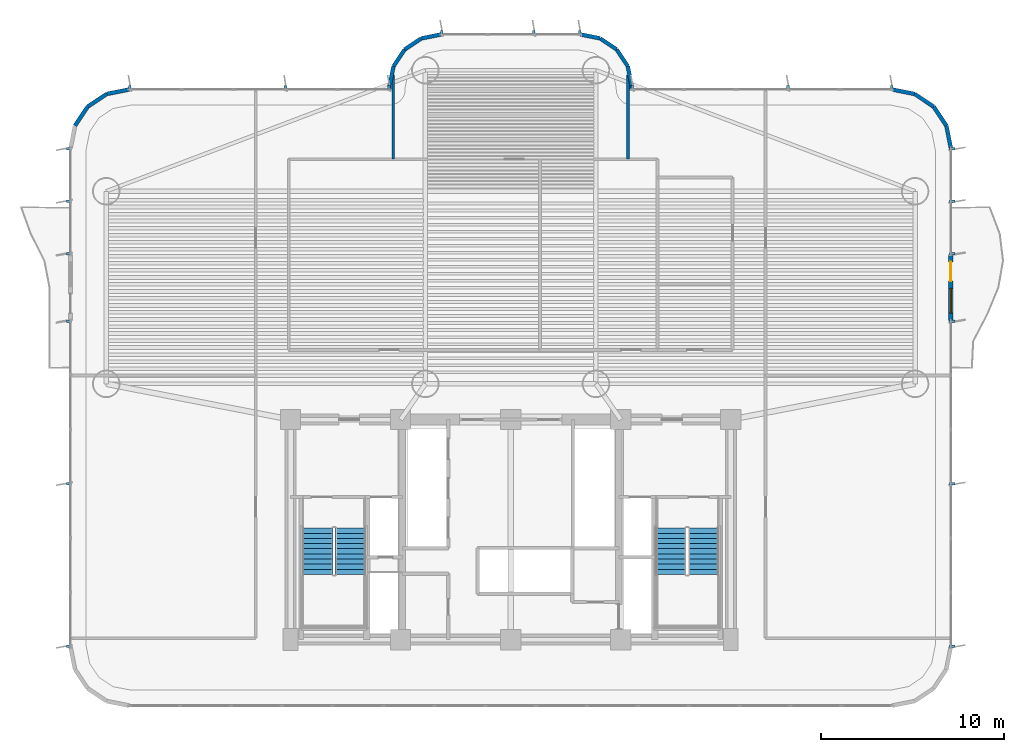
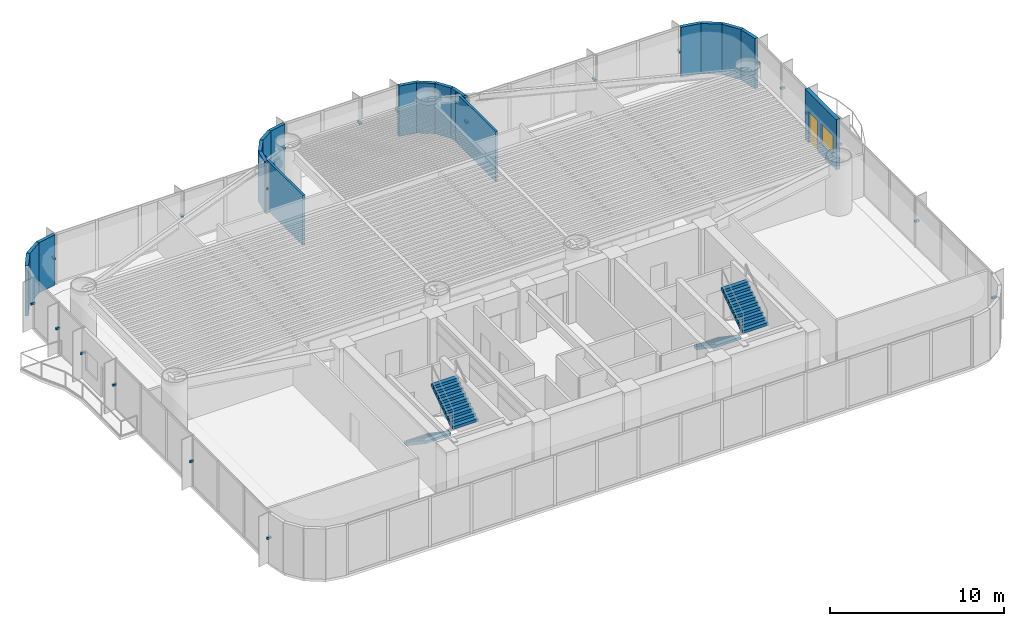
# One storey, part 12 of 16: 21 discrete accessories, 20 walls, 4 stair flights, 1 door, 1 window, 2 openings, 2 elements without a shape of their own.
"""IFC4 building model written with IfcOpenShell, lengths in metres."""

import ifcopenshell
import ifcopenshell.guid

model = None  # the IFC model being written
_history = None  # IfcOwnerHistory: only IFC2X3 demands one
_inside = {}  # id of a spatial element -> (the spatial element, [elements in it])
_under = {}  # id of a project, library or spatial element -> (it, [spatial elements below it])
_declared = {}  # id of a project -> (the project, [libraries it declares])
_typed = {}  # id of a type object -> (the type object, [elements of that type])
_made_of = {}  # id of a material, layer set ... -> (it, [elements and type objects made of it])


def new_model(schema):
    """Start an empty IFC model of exactly this schema.

    Asked for "IFC4X3", IfcOpenShell would pick the latest addendum, in which some entities
    have other attributes; the version numbers below select the first issue.
    IFC2X3 requires an IfcOwnerHistory on every rooted entity: one is made here for all.
    """
    global model, _history
    if schema == "IFC4X3":
        model = ifcopenshell.file(schema_version=(4, 3, 0, 0))
    else:
        model = ifcopenshell.file(schema=schema)
    _inside.clear()
    _under.clear()
    _declared.clear()
    _typed.clear()
    _made_of.clear()
    _history = None
    if model.schema == "IFC2X3":
        org = make("IfcOrganization", Name="unknown")
        user = make(
            "IfcPersonAndOrganization",
            ThePerson=make("IfcPerson", FamilyName="unknown"),
            TheOrganization=org,
        )
        app = make(
            "IfcApplication",
            ApplicationDeveloper=org,
            Version="unknown",
            ApplicationFullName="unknown",
            ApplicationIdentifier="unknown",
        )
        _history = make(
            "IfcOwnerHistory",
            OwningUser=user,
            OwningApplication=app,
            ChangeAction="ADDED",
            CreationDate=0,
        )
    return model


def make(cls, **values):
    """One entity of the class cls with the attributes given. An attribute that is None is left unset."""
    return model.create_entity(
        cls, **{name: value for name, value in values.items() if value is not None}
    )


def rooted(cls, **values):
    """An entity with a GlobalId (a new one), such as an element, a storey or a relation."""
    return make(cls, GlobalId=ifcopenshell.guid.new(), OwnerHistory=_history, **values)


def si_unit(unit_type, name, prefix=None):
    """IfcSIUnit, for example si_unit("LENGTHUNIT", "METRE", prefix="MILLI")."""
    return make("IfcSIUnit", UnitType=unit_type, Prefix=prefix, Name=name)


def assignment(units):
    """IfcUnitAssignment: the units of a project."""
    return None if units is None else make("IfcUnitAssignment", Units=units)


def point(xyz):
    """IfcCartesianPoint."""
    return None if xyz is None else make("IfcCartesianPoint", Coordinates=xyz)


def direction(xyz):
    """IfcDirection."""
    return None if xyz is None else make("IfcDirection", DirectionRatios=xyz)


def frame(location, z_axis=None, x_axis=None):
    """IfcAxis2Placement3D, a coordinate frame: its origin and axes. An axis left out is left unset."""
    return make(
        "IfcAxis2Placement3D",
        Location=point(location),
        Axis=direction(z_axis),
        RefDirection=direction(x_axis),
    )


def frame_2d(location, x_axis=None):
    """IfcAxis2Placement2D, a coordinate frame in the plane: its origin and x axis."""
    return make(
        "IfcAxis2Placement2D", Location=point(location), RefDirection=direction(x_axis)
    )


def origin():
    """The frame at (0, 0, 0) with its axes left unset."""
    return frame((0.0, 0.0, 0.0))


def origin_2d():
    """The frame at (0, 0) in the plane with its x axis left unset."""
    return frame_2d((0.0, 0.0))


def place(relative_to, where):
    """IfcLocalPlacement: puts the frame where relative to a parent placement (None: the world)."""
    return make(
        "IfcLocalPlacement", PlacementRelTo=relative_to, RelativePlacement=where
    )


def context(
    kind, dimensions, precision=None, world=None, true_north=None, identifier=None
):
    """IfcGeometricRepresentationContext, for example the 3D "Model" context."""
    return make(
        "IfcGeometricRepresentationContext",
        ContextIdentifier=identifier,
        ContextType=kind,
        CoordinateSpaceDimension=dimensions,
        Precision=precision,
        WorldCoordinateSystem=world,
        TrueNorth=true_north,
    )


def subcontext(parent, identifier, kind, view, scale=None):
    """IfcGeometricRepresentationSubContext, for example "Body" below "Model"."""
    return make(
        "IfcGeometricRepresentationSubContext",
        ContextIdentifier=identifier,
        ContextType=kind,
        ParentContext=parent,
        TargetScale=scale,
        TargetView=view,
    )


def project(units=None, contexts=None):
    """IfcProject with its units and contexts."""
    return rooted(
        "IfcProject",
        Name="project",
        RepresentationContexts=contexts,
        UnitsInContext=assignment(units),
    )


def spatial(cls, under=None, at=None, **own):
    """A site, building, storey or space (cls), placed at a placement, below another one or the project."""
    s = rooted(cls, ObjectPlacement=at, **own)
    if under is not None:
        _under.setdefault(under.id(), (under, []))[1].append(s)
    return s


def polyline(points):
    """IfcPolyline through the points."""
    return make("IfcPolyline", Points=[point(p) for p in points])


def profile(cls, at=None, kind="AREA", **sizes):
    """A parametric profile (cls). Its sizes go by their IFC names, for example OverallWidth=200.0."""
    return make(cls, ProfileType=kind, Position=at, **sizes)


def rectangle(**sizes):
    """IfcRectangleProfileDef."""
    return profile("IfcRectangleProfileDef", **sizes)


def outline(outer, holes=None, kind="AREA"):
    """IfcArbitraryClosedProfileDef: a profile drawn as a closed curve; with holes, ...WithVoids."""
    if holes is None:
        return make("IfcArbitraryClosedProfileDef", ProfileType=kind, OuterCurve=outer)
    return make(
        "IfcArbitraryProfileDefWithVoids",
        ProfileType=kind,
        OuterCurve=outer,
        InnerCurves=holes,
    )


def extrude(swept, where, along, depth):
    """IfcExtrudedAreaSolid: the profile swept, set in the frame where, extruded along a direction by depth."""
    return make(
        "IfcExtrudedAreaSolid",
        SweptArea=swept,
        Position=where,
        ExtrudedDirection=direction(along),
        Depth=depth,
    )


def shape(context_of_items, identifier, shape_type, items):
    """IfcShapeRepresentation: the items that make up one representation, for example the "Body"."""
    return make(
        "IfcShapeRepresentation",
        ContextOfItems=context_of_items,
        RepresentationIdentifier=identifier,
        RepresentationType=shape_type,
        Items=items,
    )


def source(mapping_origin, context_of_items, identifier, shape_type, items):
    """IfcRepresentationMap: a shape defined once, which mapped items show again and again."""
    return make(
        "IfcRepresentationMap",
        MappingOrigin=mapping_origin,
        MappedRepresentation=shape(context_of_items, identifier, shape_type, items),
    )


def transform(
    local_origin,
    x_axis=None,
    y_axis=None,
    z_axis=None,
    scale=None,
    scale2=None,
    scale3=None,
    uniform=True,
):
    """IfcCartesianTransformationOperator3D, or its non-uniform kind. x_axis, y_axis, z_axis: its Axis1, 2, 3."""
    if uniform:
        return make(
            "IfcCartesianTransformationOperator3D",
            Axis1=direction(x_axis),
            Axis2=direction(y_axis),
            LocalOrigin=point(local_origin),
            Scale=scale,
            Axis3=direction(z_axis),
        )
    return make(
        "IfcCartesianTransformationOperator3DnonUniform",
        Axis1=direction(x_axis),
        Axis2=direction(y_axis),
        LocalOrigin=point(local_origin),
        Scale=scale,
        Axis3=direction(z_axis),
        Scale2=scale2,
        Scale3=scale3,
    )


def mapped(mapping_source, mapping_target):
    """IfcMappedItem: shows the shape of a source again, moved by a transform."""
    return make(
        "IfcMappedItem", MappingSource=mapping_source, MappingTarget=mapping_target
    )


def material(Name=None, Category=None):
    """IfcMaterial."""
    return make("IfcMaterial", Name=Name, Category=Category)


def layer(
    of_material, thickness, ventilated=None, Name=None, Category=None, Priority=None
):
    """IfcMaterialLayer: one layer of a wall or slab, of a material (None: an air gap)."""
    return make(
        "IfcMaterialLayer",
        Material=of_material,
        LayerThickness=thickness,
        IsVentilated=ventilated,
        Name=Name,
        Category=Category,
        Priority=Priority,
    )


def layer_set(layers, Name=None):
    """IfcMaterialLayerSet."""
    return make("IfcMaterialLayerSet", MaterialLayers=layers, LayerSetName=Name)


def made_of(thing, what):
    """Note that an element or type object is made of a material, layer set ...; save() writes the relation."""
    if what is not None:
        _made_of.setdefault(what.id(), (what, []))[1].append(thing)
    return thing


def type_object(cls, material=None, **own):
    """A type object (cls), such as IfcWallType, which elements share."""
    return made_of(rooted(cls, **own), material)


def element(
    cls,
    number,
    at=None,
    inside=None,
    cuts=None,
    type_object=None,
    material=None,
    context=None,
    identifier="Body",
    shape_type=None,
    held_by="IfcProductDefinitionShape",
    body=None,
    shapes=None,
    **own,
):
    """One element of the class cls, such as IfcWall. Its Tag is "e" and its number.

    at: its placement. inside: the storey or other place that contains it. cuts: it is an
    opening in that element (IfcRelVoidsElement). A single representation is given by context,
    identifier, shape_type and body (its items); several are given by shapes. held_by: the class
    of the entity that holds the representations. save() writes the other relations.
    """
    e = rooted(cls, Tag="e%d" % number, ObjectPlacement=at, **own)
    if body is not None:
        shapes = [shape(context, identifier, shape_type, body)]
    if shapes is not None:
        e.Representation = make(held_by, Representations=shapes)
    if inside is not None:
        _inside.setdefault(inside.id(), (inside, []))[1].append(e)
    if cuts is not None:
        rooted(
            "IfcRelVoidsElement", RelatingBuildingElement=cuts, RelatedOpeningElement=e
        )
    if type_object is not None:
        _typed.setdefault(type_object.id(), (type_object, []))[1].append(e)
    return made_of(e, material)


def fill(opening, filler):
    """IfcRelFillsElement: the door or window that sits in an opening."""
    return rooted(
        "IfcRelFillsElement",
        RelatingOpeningElement=opening,
        RelatedBuildingElement=filler,
    )


def aggregate(whole, parts):
    """IfcRelAggregates: a whole, such as a stair, and the parts it consists of."""
    return rooted("IfcRelAggregates", RelatingObject=whole, RelatedObjects=parts)


def save(model, path):
    """Write the relations noted so far, then the file.

    IfcRelAggregates (storeys below a building ...), IfcRelContainedInSpatialStructure (elements
    in a storey), IfcRelDefinesByType, IfcRelAssociatesMaterial and IfcRelDeclares: one each for
    every whole, place, type object, material and project.
    """
    for whole, parts in _under.values():
        aggregate(whole, parts)
    for where, things in _inside.values():
        rooted(
            "IfcRelContainedInSpatialStructure",
            RelatedElements=things,
            RelatingStructure=where,
        )
    for kind, things in _typed.values():
        rooted("IfcRelDefinesByType", RelatedObjects=things, RelatingType=kind)
    for what, things in _made_of.values():
        rooted("IfcRelAssociatesMaterial", RelatedObjects=things, RelatingMaterial=what)
    for by, libraries in _declared.values():
        rooted("IfcRelDeclares", RelatingContext=by, RelatedDefinitions=libraries)
    model.write(path)


model = new_model("IFC4")

# Units and contexts
model_context = context("Model", 3, precision=1e-05, world=origin(), true_north=direction((0.0, 1.0)))
body_context = subcontext(model_context, "Body", "Model", "MODEL_VIEW")
ifc_project = project(units=[si_unit("LENGTHUNIT", "METRE"), si_unit("AREAUNIT", "SQUARE_METRE"), si_unit("VOLUMEUNIT", "CUBIC_METRE"), si_unit("PLANEANGLEUNIT", "RADIAN"), si_unit("MASSUNIT", "GRAM", prefix="KILO")], contexts=[model_context])

# Site, building, storey
site_placement = place(None, origin())
site = spatial("IfcSite", under=ifc_project, at=site_placement, CompositionType="ELEMENT")
building_placement = place(site_placement, origin())
building = spatial("IfcBuilding", under=site, at=building_placement, Name="Brelvock Crest Care Tower", CompositionType="ELEMENT")
storey_placement = place(building_placement, frame((0.0, 0.0, 57.239990234375)))
storey = spatial("IfcBuildingStorey", under=building, at=storey_placement, Name="L14", CompositionType="ELEMENT", Elevation=57.239990234375)

# Wall, openings, door, window
ifc_material_1 = material(Name="Precast concrete N40 (40 MPa)", Category="concrete")
ifc_layer_1 = layer(ifc_material_1, 0.239990234375, Name="WL-EX1")
ifc_layer_set_1 = layer_set([ifc_layer_1], Name="Precast concrete N40 (40 MPa)")
wall_type_1 = type_object("IfcWallType", Name="WL-EX1", PredefinedType="SOLIDWALL", material=ifc_layer_set_1)
wall_1_placement = place(storey_placement, frame((60.0, 27.0, 0.0), z_axis=(0.0, 0.0, 1.0), x_axis=(0.0, -1.0, 0.0)))
wall_1 = element("IfcWall", 1, at=wall_1_placement, inside=storey, type_object=wall_type_1, Name="L14 Exterior Spandrel Wall WL-BAL-L14-E", PredefinedType="SOLIDWALL", context=body_context, shape_type="SweptSolid", body=[
    extrude(rectangle(XDim=3.60009765625, YDim=0.239990234375, at=frame_2d((1.800048828125, 0.0))), origin(), (0.0, 0.0, 1.0), 3.530029296875),
])
opening_1_placement = place(wall_1_placement, frame((0.39990234375, 0.0, 0.0)))
opening_1 = element("IfcOpeningElement", 2, at=opening_1_placement, cuts=wall_1, Name="Opening BD-1", PredefinedType="OPENING", context=body_context, shape_type="SweptSolid", body=[
    extrude(rectangle(XDim=1.050048828125, YDim=2.14990234375, at=origin_2d()), frame((0.52490234375, 0.1298828125, 1.074951171875), z_axis=(0.0, -1.0, 0.0), x_axis=(1.0, 0.0, 0.0)), (0.0, 0.0, 1.0), 0.260009765625),
])
opening_2_placement = place(wall_1_placement, frame((1.85009765625, 0.0, 0.85009765625)))
opening_2 = element("IfcOpeningElement", 3, at=opening_2_placement, cuts=wall_1, Name="Opening W-01", PredefinedType="OPENING", context=body_context, shape_type="SweptSolid", body=[
    extrude(rectangle(XDim=1.35009765625, YDim=1.35009765625, at=origin_2d()), frame((0.675048828125, 0.1298828125, 0.675048828125), z_axis=(0.0, -1.0, 0.0), x_axis=(1.0, 0.0, 0.0)), (0.0, 0.0, 1.0), 0.260009765625),
])
ifc_material_2 = material(Name="Dark Glass Double Glazed Low-E", Category="glass")
door_type = type_object("IfcDoorType", Name="DR-BAL1", OperationType="NOTDEFINED", PredefinedType="DOOR", material=ifc_material_2)
shared_shape_1 = source(origin(), body_context, "Body", "SweptSolid", [
    extrude(rectangle(XDim=1.050048828125, YDim=2.14990234375, at=origin_2d()), frame((0.52490234375, 0.02490234375, 1.074951171875), z_axis=(0.0, -1.0, 0.0), x_axis=(1.0, 0.0, 0.0)), (0.0, 0.0, 1.0), 0.050048828125),
])
door_placement = place(opening_1_placement, origin())
door = element("IfcDoor", 4, at=door_placement, inside=storey, type_object=door_type, Name="L14 E Wave Balcony Glazed Door", OperationType="SINGLE_SWING_RIGHT", OverallHeight=2.14990234375, OverallWidth=1.050048828125, PredefinedType="DOOR", context=body_context, shape_type="MappedRepresentation", body=[
    mapped(shared_shape_1, transform((0.0, 0.0, 0.0), x_axis=(1.0, 0.0, 0.0), y_axis=(0.0, 1.0, 0.0), z_axis=(0.0, 0.0, 1.0), scale=1.0)),
])
fill(opening_1, door)
window_type = type_object("IfcWindowType", Name="WN-EX1", PartitioningType="SINGLE_PANEL", PredefinedType="WINDOW", material=ifc_material_2)
shared_shape_2 = source(origin(), body_context, "Body", "SweptSolid", [
    extrude(rectangle(XDim=1.35009765625, YDim=1.35009765625, at=origin_2d()), frame((0.675048828125, 0.030029296875, 0.675048828125), z_axis=(0.0, -1.0, 0.0), x_axis=(1.0, 0.0, 0.0)), (0.0, 0.0, 1.0), 0.06005859375),
])
window_placement = place(opening_2_placement, origin())
window = element("IfcWindow", 5, at=window_placement, inside=storey, type_object=window_type, Name="L14 E Suite Casement Window", OverallHeight=1.35009765625, OverallWidth=1.35009765625, PartitioningType="SINGLE_PANEL", PredefinedType="WINDOW", context=body_context, shape_type="MappedRepresentation", body=[
    mapped(shared_shape_2, transform((0.0, 0.0, 0.0), x_axis=(1.0, 0.0, 0.0), y_axis=(0.0, 1.0, 0.0), z_axis=(0.0, 0.0, 1.0), scale=1.0)),
])
fill(opening_2, window)

# Walls
ifc_layer_2 = layer(ifc_material_1, 0.215087890625, Name="WL-EX2")
ifc_layer_set_2 = layer_set([ifc_layer_2], Name="Precast concrete N40 (40 MPa)")
wall_type_2 = type_object("IfcWallType", Name="WL-EX2", PredefinedType="SOLIDWALL", material=ifc_layer_set_2)
for number, where, z_axis, x_axis, name in (
    (6, (58.024658203125, 35.75634765625, 0.0), (0.0, 0.0, 1.0), (0.831478245117, -0.555557312883, 0.0), "L14 Rounded Corner Wall 00"),
    (7, (59.062744140625, 35.062744140625, 0.0), (0.0, 0.0, 1.0), (0.555557312883, -0.831478245117, 0.0), "L14 Rounded Corner Wall 01"),
    (8, (59.75634765625, 34.024658203125, 0.0), (0.0, 0.0, 1.0), (0.195138390419, -0.980775717779, 0.0), "L14 Rounded Corner Wall 02"),
    (9, (12.24365234375, 34.024658203125, 0.0), (0.0, 0.0, 1.0), (0.555557312883, 0.831478245117, 0.0), "L14 Rounded Corner Wall 15"),
    (10, (12.937255859375, 35.062744140625, 0.0), (0.0, 0.0, 1.0), (0.831478245117, 0.555557312883, 0.0), "L14 Rounded Corner Wall 16"),
    (11, (13.975341796875, 35.75634765625, 0.0), (0.0, 0.0, 1.0), (0.980775717779, 0.195138390419, 0.0), "L14 Rounded Corner Wall 17"),
):
    element("IfcWall", number, at=place(storey_placement, frame(where, z_axis=z_axis, x_axis=x_axis)), inside=storey, type_object=wall_type_2, Name=name, PredefinedType="SOLIDWALL", context=body_context, shape_type="SweptSolid", body=[
        extrude(rectangle(XDim=1.24853515625, YDim=0.215087890625, at=frame_2d((0.624267578125, 0.0))), origin(), (0.0, 0.0, 1.0), 3.530029296875),
    ])
wall_2_placement = place(storey_placement, frame((29.39990234375, 36.0, 0.0), z_axis=(0.0, 0.0, 1.0), x_axis=(0.0, 1.0, 0.0)))
element("IfcWall", 12, at=wall_2_placement, inside=storey, type_object=wall_type_2, Name="L14 Rounded Corner Wall 19", PredefinedType="SOLIDWALL", context=body_context, shape_type="SweptSolid", body=[
    extrude(rectangle(XDim=0.199951171875, YDim=0.215087890625, at=frame_2d((0.10009765625, 0.0))), origin(), (0.0, 0.0, 1.0), 3.530029296875),
])
wall_3_placement = place(storey_placement, frame((29.39990234375, 36.199951171875, 0.0), z_axis=(0.0, 0.0, 1.0), x_axis=(0.195084651288, 0.980786408364, 0.0)))
element("IfcWall", 13, at=wall_3_placement, inside=storey, type_object=wall_type_2, Name="L14 Rounded Corner Wall 20", PredefinedType="SOLIDWALL", context=body_context, shape_type="SweptSolid", body=[
    extrude(rectangle(XDim=1.092529296875, YDim=0.215087890625, at=frame_2d((0.54638671875, 0.0))), origin(), (0.0, 0.0, 1.0), 3.530029296875),
])
wall_4_placement = place(storey_placement, frame((29.613037109375, 37.271484375, 0.0), z_axis=(0.0, 0.0, 1.0), x_axis=(0.555679482341, 0.831396603857, 0.0)))
element("IfcWall", 14, at=wall_4_placement, inside=storey, type_object=wall_type_2, Name="L14 Rounded Corner Wall 21", PredefinedType="SOLIDWALL", context=body_context, shape_type="SweptSolid", body=[
    extrude(rectangle(XDim=1.0927734375, YDim=0.215087890625, at=frame_2d((0.54638671875, 0.0))), origin(), (0.0, 0.0, 1.0), 3.530029296875),
])
wall_5_placement = place(storey_placement, frame((30.22021484375, 38.179931640625, 0.0), z_axis=(0.0, 0.0, 1.0), x_axis=(0.831430845238, 0.555628247651, 0.0)))
element("IfcWall", 15, at=wall_5_placement, inside=storey, type_object=wall_type_2, Name="L14 Rounded Corner Wall 22", PredefinedType="SOLIDWALL", context=body_context, shape_type="SweptSolid", body=[
    extrude(rectangle(XDim=1.09228515625, YDim=0.215087890625, at=frame_2d((0.546142578125, 0.0))), origin(), (0.0, 0.0, 1.0), 3.530029296875),
])
for number, where, z_axis, x_axis, name in (
    (16, (31.12841796875, 38.786865234375, 0.0), (0.0, 0.0, 1.0), (0.980786408364, 0.195084651288, 0.0), "L14 Rounded Corner Wall 23"),
    (17, (39.800048828125, 39.0, 0.0), (0.0, 0.0, 1.0), (0.980786408364, -0.195084651288, 0.0), "L14 Rounded Corner Wall 25"),
):
    element("IfcWall", number, at=place(storey_placement, frame(where, z_axis=z_axis, x_axis=x_axis)), inside=storey, type_object=wall_type_2, Name=name, PredefinedType="SOLIDWALL", context=body_context, shape_type="SweptSolid", body=[
        extrude(rectangle(XDim=1.092529296875, YDim=0.215087890625, at=frame_2d((0.54638671875, 0.0))), origin(), (0.0, 0.0, 1.0), 3.530029296875),
    ])
wall_6_placement = place(storey_placement, frame((40.87158203125, 38.786865234375, 0.0), z_axis=(0.0, 0.0, 1.0), x_axis=(0.831430845238, -0.555628247651, 0.0)))
element("IfcWall", 18, at=wall_6_placement, inside=storey, type_object=wall_type_2, Name="L14 Rounded Corner Wall 26", PredefinedType="SOLIDWALL", context=body_context, shape_type="SweptSolid", body=[
    extrude(rectangle(XDim=1.09228515625, YDim=0.215087890625, at=frame_2d((0.546142578125, 0.0))), origin(), (0.0, 0.0, 1.0), 3.530029296875),
])
wall_7_placement = place(storey_placement, frame((41.77978515625, 38.179931640625, 0.0), z_axis=(0.0, 0.0, 1.0), x_axis=(0.555679482341, -0.831396603857, 0.0)))
element("IfcWall", 19, at=wall_7_placement, inside=storey, type_object=wall_type_2, Name="L14 Rounded Corner Wall 27", PredefinedType="SOLIDWALL", context=body_context, shape_type="SweptSolid", body=[
    extrude(rectangle(XDim=1.0927734375, YDim=0.215087890625, at=frame_2d((0.54638671875, 0.0))), origin(), (0.0, 0.0, 1.0), 3.530029296875),
])
wall_8_placement = place(storey_placement, frame((42.386962890625, 37.271484375, 0.0), z_axis=(0.0, 0.0, 1.0), x_axis=(0.195084651288, -0.980786408364, 0.0)))
element("IfcWall", 20, at=wall_8_placement, inside=storey, type_object=wall_type_2, Name="L14 Rounded Corner Wall 28", PredefinedType="SOLIDWALL", context=body_context, shape_type="SweptSolid", body=[
    extrude(rectangle(XDim=1.092529296875, YDim=0.215087890625, at=frame_2d((0.54638671875, 0.0))), origin(), (0.0, 0.0, 1.0), 3.530029296875),
])
wall_9_placement = place(storey_placement, frame((42.60009765625, 36.199951171875, 0.0), z_axis=(0.0, 0.0, 1.0), x_axis=(0.0, -1.0, 0.0)))
element("IfcWall", 21, at=wall_9_placement, inside=storey, type_object=wall_type_2, Name="L14 Rounded Corner Wall 29", PredefinedType="SOLIDWALL", context=body_context, shape_type="SweptSolid", body=[
    extrude(rectangle(XDim=0.199951171875, YDim=0.215087890625, at=frame_2d((0.10009765625, 0.0))), origin(), (0.0, 0.0, 1.0), 3.530029296875),
])
wall_10_placement = place(storey_placement, frame((56.800048828125, 36.0, 0.0), z_axis=(0.0, 0.0, 1.0), x_axis=(0.980775717779, -0.195138390419, 0.0)))
element("IfcWall", 22, at=wall_10_placement, inside=storey, type_object=wall_type_2, Name="L14 Rounded Corner Wall 31", PredefinedType="SOLIDWALL", context=body_context, shape_type="SweptSolid", body=[
    extrude(rectangle(XDim=1.24853515625, YDim=0.215087890625, at=frame_2d((0.624267578125, 0.0))), origin(), (0.0, 0.0, 1.0), 3.530029296875),
])
ifc_material_3 = material(Name="Masonry Blockwork Acoustic Partition", Category="masonry")
ifc_layer_3 = layer(ifc_material_3, 0.14990234375, Name="WL-INT1")
ifc_layer_set_3 = layer_set([ifc_layer_3], Name="Masonry Blockwork Acoustic Partition")
wall_type_3 = type_object("IfcWallType", Name="WL-INT1", PredefinedType="PARTITIONING", material=ifc_layer_set_3)
for number, where, z_axis, x_axis, name in (
    (23, (29.60009765625, 32.199951171875, 0.0), (0.0, 0.0, 1.0), (0.0, 1.0, 0.0), "L14 Interior Wall WL-BX-L14-NHUB-W"),
    (24, (42.39990234375, 32.199951171875, 0.0), (0.0, 0.0, 1.0), (0.0, 1.0, 0.0), "L14 Interior Wall WL-BX-L14-NHUB-E"),
):
    element("IfcWall", number, at=place(storey_placement, frame(where, z_axis=z_axis, x_axis=x_axis)), inside=storey, type_object=wall_type_3, Name=name, PredefinedType="PARTITIONING", context=body_context, shape_type="SweptSolid", body=[
        extrude(rectangle(XDim=4.595458984375, YDim=0.14990234375, at=frame_2d((2.2978515625, 0.0))), origin(), (0.0, 0.0, 1.0), 3.5),
    ])

# Stair, stair flights
ifc_material_4 = material(Name="Concrete N40 (40 MPa)", Category="concrete")
stair_type = type_object("IfcStairType", Name="ST-CORE1", PredefinedType="HALF_TURN_STAIR", material=ifc_material_4)
stair_1_placement = place(storey_placement, origin())
stair_1 = element("IfcStair", 25, at=stair_1_placement, inside=storey, type_object=stair_type, Name="L14 Fire-Isolated Core Stair ST-1", PredefinedType="HALF_TURN_STAIR")
stair_flight_type = type_object("IfcStairFlightType", Name="STF-1", PredefinedType="STRAIGHT", material=ifc_material_4)
stair_flight_1_placement = place(storey_placement, frame((25.469970703125, 12.080078125, 0.0), z_axis=(0.0, 0.0, 1.0), x_axis=(0.0, -1.0, 0.0)))
stair_flight_1 = element("IfcStairFlight", 26, at=stair_flight_1_placement, type_object=stair_flight_type, Name="ST-1 flight 1", NumberOfRisers=10, NumberOfTreads=9, PredefinedType="STRAIGHT", RiserHeight=0.189, TreadLength=0.28, context=body_context, shape_type="SweptSolid", body=[
    extrude(outline(polyline([(-0.00390625, -0.014892578125), (-0.00390625, -0.0078125), (-0.00390625, -0.00048828125), (-0.00390625, 0.0068359375), (-0.00390625, 0.01416015625), (-0.00390625, 0.021484375), (-0.00390625, 0.02880859375), (-0.00390625, 0.035888671875), (-0.00390625, 0.043212890625), (-0.00390625, 0.050537109375), (-0.00390625, 0.057861328125), (-0.00390625, 0.065185546875), (-0.00390625, 0.072509765625), (-0.00390625, 0.07958984375), (-0.00390625, 0.0869140625), (-0.00390625, 0.09423828125), (-0.00390625, 0.1015625), (-0.00390625, 0.10888671875), (-0.00390625, 0.1162109375), (-0.00390625, 0.12353515625), (-0.00390625, 0.130615234375), (-0.00390625, 0.137939453125), (-0.00390625, 0.145263671875), (-0.00390625, 0.152587890625), (-0.00390625, 0.159912109375), (-0.00390625, 0.167236328125), (-0.00390625, 0.17431640625), (-0.00390625, 0.181640625), (-0.00390625, 0.18896484375), (0.0, 0.18896484375), (0.280029296875, 0.18896484375), (0.280029296875, 0.3779296875), (0.56005859375, 0.3779296875), (0.56005859375, 0.56689453125), (0.840087890625, 0.56689453125), (0.840087890625, 0.756103515625), (1.1201171875, 0.756103515625), (1.1201171875, 0.945068359375), (1.39990234375, 0.945068359375), (1.39990234375, 1.134033203125), (1.679931640625, 1.134033203125), (1.679931640625, 1.322998046875), (1.9599609375, 1.322998046875), (1.9599609375, 1.511962890625), (2.239990234375, 1.511962890625), (2.239990234375, 1.700927734375), (2.52001953125, 1.700927734375), (2.52392578125, 1.700927734375), (2.523681640625, 1.70068359375), (2.52392578125, 1.700439453125), (2.523681640625, 1.699951171875), (2.52392578125, 1.69970703125), (2.523681640625, 1.699462890625), (2.52392578125, 1.698974609375), (2.523681640625, 1.69873046875), (2.52392578125, 1.698486328125), (2.523681640625, 1.697998046875), (2.52392578125, 1.69775390625), (2.523681640625, 1.697509765625), (2.52392578125, 1.697021484375), (2.523681640625, 1.69677734375), (2.52392578125, 1.696533203125), (2.523681640625, 1.6962890625), (2.52392578125, 1.69580078125), (2.523681640625, 1.695556640625), (2.52392578125, 1.6953125), (2.523681640625, 1.69482421875), (2.52392578125, 1.694580078125), (2.523681640625, 1.6943359375), (2.52392578125, 1.69384765625), (2.523681640625, 1.693603515625), (2.52392578125, 1.693359375), (2.523681640625, 1.69287109375), (2.52392578125, 1.692626953125), (2.523681640625, 1.6923828125), (2.52392578125, 1.69189453125), (2.52001953125, 1.520263671875), (0.267822265625, 0.0), (0.0, 0.0), (0.0, -0.014892578125), (-0.00390625, -0.014892578125)])), frame((0.0, 0.83984375, 0.0), z_axis=(0.0, -1.0, 0.0), x_axis=(1.0, 0.0, 0.0)), (0.0, 0.0, 1.0), 1.679931640625),
])
stair_flight_2_placement = place(storey_placement, frame((27.27001953125, 9.56005859375, 1.889892578125), z_axis=(0.0, 0.0, 1.0), x_axis=(0.0, 1.0, 0.0)))
stair_flight_2 = element("IfcStairFlight", 27, at=stair_flight_2_placement, type_object=stair_flight_type, Name="ST-1 flight 2", NumberOfRisers=10, NumberOfTreads=9, PredefinedType="STRAIGHT", RiserHeight=0.189, TreadLength=0.28, context=body_context, shape_type="SweptSolid", body=[
    extrude(outline(polyline([(-0.00390625, -0.014892578125), (-0.00390625, -0.0078125), (-0.00390625, -0.00048828125), (-0.00390625, 0.0068359375), (-0.00390625, 0.01416015625), (-0.00390625, 0.021484375), (-0.00390625, 0.02880859375), (-0.00390625, 0.035888671875), (-0.00390625, 0.043212890625), (-0.00390625, 0.050537109375), (-0.00390625, 0.057861328125), (-0.00390625, 0.065185546875), (-0.00390625, 0.072509765625), (-0.00390625, 0.07958984375), (-0.00390625, 0.0869140625), (-0.00390625, 0.09423828125), (-0.00390625, 0.1015625), (-0.00390625, 0.10888671875), (-0.00390625, 0.1162109375), (-0.00390625, 0.12353515625), (-0.00390625, 0.130615234375), (-0.00390625, 0.137939453125), (-0.00390625, 0.145263671875), (-0.00390625, 0.152587890625), (-0.00390625, 0.159912109375), (-0.00390625, 0.167236328125), (-0.00390625, 0.17431640625), (-0.00390625, 0.181640625), (-0.00390625, 0.18896484375), (0.0, 0.18896484375), (0.280029296875, 0.18896484375), (0.280029296875, 0.3779296875), (0.56005859375, 0.3779296875), (0.56005859375, 0.56689453125), (0.840087890625, 0.56689453125), (0.840087890625, 0.756103515625), (1.1201171875, 0.756103515625), (1.1201171875, 0.945068359375), (1.39990234375, 0.945068359375), (1.39990234375, 1.134033203125), (1.679931640625, 1.134033203125), (1.679931640625, 1.322998046875), (1.9599609375, 1.322998046875), (1.9599609375, 1.511962890625), (2.239990234375, 1.511962890625), (2.239990234375, 1.700927734375), (2.52001953125, 1.700927734375), (2.52392578125, 1.700927734375), (2.523681640625, 1.70068359375), (2.52392578125, 1.700439453125), (2.523681640625, 1.699951171875), (2.52392578125, 1.69970703125), (2.523681640625, 1.699462890625), (2.52392578125, 1.698974609375), (2.523681640625, 1.69873046875), (2.52392578125, 1.698486328125), (2.523681640625, 1.697998046875), (2.52392578125, 1.69775390625), (2.523681640625, 1.697509765625), (2.52392578125, 1.697021484375), (2.523681640625, 1.69677734375), (2.52392578125, 1.696533203125), (2.523681640625, 1.6962890625), (2.52392578125, 1.69580078125), (2.523681640625, 1.695556640625), (2.52392578125, 1.6953125), (2.523681640625, 1.69482421875), (2.52392578125, 1.694580078125), (2.523681640625, 1.6943359375), (2.52392578125, 1.69384765625), (2.523681640625, 1.693603515625), (2.52392578125, 1.693359375), (2.523681640625, 1.69287109375), (2.52392578125, 1.692626953125), (2.523681640625, 1.6923828125), (2.52392578125, 1.69189453125), (2.52001953125, 1.520263671875), (0.267822265625, 0.0), (0.0, 0.0), (0.0, -0.014892578125), (-0.00390625, -0.014892578125)])), frame((0.0, 0.83984375, 0.0), z_axis=(0.0, -1.0, 0.0), x_axis=(1.0, 0.0, 0.0)), (0.0, 0.0, 1.0), 1.679931640625),
])
aggregate(stair_1, [stair_flight_1, stair_flight_2])

stair_2_placement = place(storey_placement, origin())
stair_2 = element("IfcStair", 28, at=stair_2_placement, inside=storey, type_object=stair_type, Name="L14 Fire-Isolated Core Stair ST-2", PredefinedType="HALF_TURN_STAIR")
stair_flight_3_placement = place(storey_placement, frame((44.72998046875, 12.080078125, 0.0), z_axis=(0.0, 0.0, 1.0), x_axis=(0.0, -1.0, 0.0)))
stair_flight_3 = element("IfcStairFlight", 29, at=stair_flight_3_placement, type_object=stair_flight_type, Name="ST-2 flight 1", NumberOfRisers=10, NumberOfTreads=9, PredefinedType="STRAIGHT", RiserHeight=0.189, TreadLength=0.28, context=body_context, shape_type="SweptSolid", body=[
    extrude(outline(polyline([(-0.00390625, -0.014892578125), (-0.00390625, -0.0078125), (-0.00390625, -0.00048828125), (-0.00390625, 0.0068359375), (-0.00390625, 0.01416015625), (-0.00390625, 0.021484375), (-0.00390625, 0.02880859375), (-0.00390625, 0.035888671875), (-0.00390625, 0.043212890625), (-0.00390625, 0.050537109375), (-0.00390625, 0.057861328125), (-0.00390625, 0.065185546875), (-0.00390625, 0.072509765625), (-0.00390625, 0.07958984375), (-0.00390625, 0.0869140625), (-0.00390625, 0.09423828125), (-0.00390625, 0.1015625), (-0.00390625, 0.10888671875), (-0.00390625, 0.1162109375), (-0.00390625, 0.12353515625), (-0.00390625, 0.130615234375), (-0.00390625, 0.137939453125), (-0.00390625, 0.145263671875), (-0.00390625, 0.152587890625), (-0.00390625, 0.159912109375), (-0.00390625, 0.167236328125), (-0.00390625, 0.17431640625), (-0.00390625, 0.181640625), (-0.00390625, 0.18896484375), (0.0, 0.18896484375), (0.280029296875, 0.18896484375), (0.280029296875, 0.3779296875), (0.56005859375, 0.3779296875), (0.56005859375, 0.56689453125), (0.840087890625, 0.56689453125), (0.840087890625, 0.756103515625), (1.1201171875, 0.756103515625), (1.1201171875, 0.945068359375), (1.39990234375, 0.945068359375), (1.39990234375, 1.134033203125), (1.679931640625, 1.134033203125), (1.679931640625, 1.322998046875), (1.9599609375, 1.322998046875), (1.9599609375, 1.511962890625), (2.239990234375, 1.511962890625), (2.239990234375, 1.700927734375), (2.52001953125, 1.700927734375), (2.52392578125, 1.700927734375), (2.523681640625, 1.70068359375), (2.52392578125, 1.700439453125), (2.523681640625, 1.699951171875), (2.52392578125, 1.69970703125), (2.523681640625, 1.699462890625), (2.52392578125, 1.698974609375), (2.523681640625, 1.69873046875), (2.52392578125, 1.698486328125), (2.523681640625, 1.697998046875), (2.52392578125, 1.69775390625), (2.523681640625, 1.697509765625), (2.52392578125, 1.697021484375), (2.523681640625, 1.69677734375), (2.52392578125, 1.696533203125), (2.523681640625, 1.6962890625), (2.52392578125, 1.69580078125), (2.523681640625, 1.695556640625), (2.52392578125, 1.6953125), (2.523681640625, 1.69482421875), (2.52392578125, 1.694580078125), (2.523681640625, 1.6943359375), (2.52392578125, 1.69384765625), (2.523681640625, 1.693603515625), (2.52392578125, 1.693359375), (2.523681640625, 1.69287109375), (2.52392578125, 1.692626953125), (2.523681640625, 1.6923828125), (2.52392578125, 1.69189453125), (2.52001953125, 1.520263671875), (0.267822265625, 0.0), (0.0, 0.0), (0.0, -0.014892578125), (-0.00390625, -0.014892578125)])), frame((0.0, 0.83984375, 0.0), z_axis=(0.0, -1.0, 0.0), x_axis=(1.0, 0.0, 0.0)), (0.0, 0.0, 1.0), 1.679931640625),
])
stair_flight_4_placement = place(storey_placement, frame((46.530029296875, 9.56005859375, 1.889892578125), z_axis=(0.0, 0.0, 1.0), x_axis=(0.0, 1.0, 0.0)))
stair_flight_4 = element("IfcStairFlight", 30, at=stair_flight_4_placement, type_object=stair_flight_type, Name="ST-2 flight 2", NumberOfRisers=10, NumberOfTreads=9, PredefinedType="STRAIGHT", RiserHeight=0.189, TreadLength=0.28, context=body_context, shape_type="SweptSolid", body=[
    extrude(outline(polyline([(-0.00390625, -0.014892578125), (-0.00390625, -0.0078125), (-0.00390625, -0.00048828125), (-0.00390625, 0.0068359375), (-0.00390625, 0.01416015625), (-0.00390625, 0.021484375), (-0.00390625, 0.02880859375), (-0.00390625, 0.035888671875), (-0.00390625, 0.043212890625), (-0.00390625, 0.050537109375), (-0.00390625, 0.057861328125), (-0.00390625, 0.065185546875), (-0.00390625, 0.072509765625), (-0.00390625, 0.07958984375), (-0.00390625, 0.0869140625), (-0.00390625, 0.09423828125), (-0.00390625, 0.1015625), (-0.00390625, 0.10888671875), (-0.00390625, 0.1162109375), (-0.00390625, 0.12353515625), (-0.00390625, 0.130615234375), (-0.00390625, 0.137939453125), (-0.00390625, 0.145263671875), (-0.00390625, 0.152587890625), (-0.00390625, 0.159912109375), (-0.00390625, 0.167236328125), (-0.00390625, 0.17431640625), (-0.00390625, 0.181640625), (-0.00390625, 0.18896484375), (0.0, 0.18896484375), (0.280029296875, 0.18896484375), (0.280029296875, 0.3779296875), (0.56005859375, 0.3779296875), (0.56005859375, 0.56689453125), (0.840087890625, 0.56689453125), (0.840087890625, 0.756103515625), (1.1201171875, 0.756103515625), (1.1201171875, 0.945068359375), (1.39990234375, 0.945068359375), (1.39990234375, 1.134033203125), (1.679931640625, 1.134033203125), (1.679931640625, 1.322998046875), (1.9599609375, 1.322998046875), (1.9599609375, 1.511962890625), (2.239990234375, 1.511962890625), (2.239990234375, 1.700927734375), (2.52001953125, 1.700927734375), (2.52392578125, 1.700927734375), (2.523681640625, 1.70068359375), (2.52392578125, 1.700439453125), (2.523681640625, 1.699951171875), (2.52392578125, 1.69970703125), (2.523681640625, 1.699462890625), (2.52392578125, 1.698974609375), (2.523681640625, 1.69873046875), (2.52392578125, 1.698486328125), (2.523681640625, 1.697998046875), (2.52392578125, 1.69775390625), (2.523681640625, 1.697509765625), (2.52392578125, 1.697021484375), (2.523681640625, 1.69677734375), (2.52392578125, 1.696533203125), (2.523681640625, 1.6962890625), (2.52392578125, 1.69580078125), (2.523681640625, 1.695556640625), (2.52392578125, 1.6953125), (2.523681640625, 1.69482421875), (2.52392578125, 1.694580078125), (2.523681640625, 1.6943359375), (2.52392578125, 1.69384765625), (2.523681640625, 1.693603515625), (2.52392578125, 1.693359375), (2.523681640625, 1.69287109375), (2.52392578125, 1.692626953125), (2.523681640625, 1.6923828125), (2.52392578125, 1.69189453125), (2.52001953125, 1.520263671875), (0.267822265625, 0.0), (0.0, 0.0), (0.0, -0.014892578125), (-0.00390625, -0.014892578125)])), frame((0.0, 0.83984375, 0.0), z_axis=(0.0, -1.0, 0.0), x_axis=(1.0, 0.0, 0.0)), (0.0, 0.0, 1.0), 1.679931640625),
])
aggregate(stair_2, [stair_flight_3, stair_flight_4])

# Discrete accessories
ifc_material_5 = material(Name="Steel Grade 350", Category="steel")
discrete_accessory_type = type_object("IfcDiscreteAccessoryType", Name="ACC-BRK1", PredefinedType="BRACKET", material=ifc_material_5)
shared_shape_3 = source(origin(), body_context, "Body", "SweptSolid", [
    extrude(rectangle(XDim=0.280029296875, YDim=0.139892578125, at=origin_2d()), origin(), (0.0, 0.0, 1.0), 0.139892578125),
])
for number, where, z_axis, x_axis, name in (
    (31, (60.080078125, 32.767578125, 1.69482421875), (0.0, 0.0, 1.0), (1.0, 0.0, 0.0), "L14 Facade Fin Bracket E03A-01"),
    (32, (60.080078125, 29.89990234375, 1.69482421875), (0.0, 0.0, 1.0), (1.0, 0.0, 0.0), "L14 Facade Fin Bracket E03A-02"),
    (33, (60.080078125, 27.032470703125, 1.69482421875), (0.0, 0.0, 1.0), (1.0, 0.0, 0.0), "L14 Facade Fin Bracket E03A-03"),
    (34, (60.080078125, 23.367431640625, 1.69482421875), (0.0, 0.0, 1.0), (1.0, 0.0, 0.0), "L14 Facade Fin Bracket E03B-01"),
    (35, (60.080078125, 14.5, 1.69482421875), (0.0, 0.0, 1.0), (1.0, 0.0, 0.0), "L14 Facade Fin Bracket E03B-04"),
    (36, (60.080078125, 5.632568359375, 1.69482421875), (0.0, 0.0, 1.0), (1.0, 0.0, 0.0), "L14 Facade Fin Bracket E03B-07"),
    (37, (11.919921875, 5.632568359375, 1.69482421875), (0.0, 0.0, 1.0), (-1.0, 0.0, 0.0), "L14 Facade Fin Bracket E13A-01"),
    (38, (11.919921875, 14.5, 1.69482421875), (0.0, 0.0, 1.0), (-1.0, 0.0, 0.0), "L14 Facade Fin Bracket E13A-04"),
    (39, (11.919921875, 23.367431640625, 1.69482421875), (0.0, 0.0, 1.0), (-1.0, 0.0, 0.0), "L14 Facade Fin Bracket E13A-07"),
    (40, (11.919921875, 27.032470703125, 1.69482421875), (0.0, 0.0, 1.0), (-1.0, 0.0, 0.0), "L14 Facade Fin Bracket E13B-01"),
    (41, (11.919921875, 29.89990234375, 1.69482421875), (0.0, 0.0, 1.0), (-1.0, 0.0, 0.0), "L14 Facade Fin Bracket E13B-02"),
    (42, (11.919921875, 32.767578125, 1.69482421875), (0.0, 0.0, 1.0), (-1.0, 0.0, 0.0), "L14 Facade Fin Bracket E13B-03"),
    (43, (15.232421875, 36.080078125, 1.69482421875), (0.0, 0.0, 1.0), (0.0, 1.0, 0.0), "L14 Facade Fin Bracket E18-01"),
    (44, (23.719970703125, 36.080078125, 1.69482421875), (0.0, 0.0, 1.0), (0.0, 1.0, 0.0), "L14 Facade Fin Bracket E18-04"),
    (45, (29.367431640625, 36.080078125, 1.69482421875), (0.0, 0.0, 1.0), (0.0, 1.0, 0.0), "L14 Facade Fin Bracket E18-06"),
    (46, (32.232421875, 39.080078125, 1.69482421875), (0.0, 0.0, 1.0), (0.0, 1.0, 0.0), "L14 Facade Fin Bracket E24-01"),
    (47, (37.2666015625, 39.080078125, 1.69482421875), (0.0, 0.0, 1.0), (0.0, 1.0, 0.0), "L14 Facade Fin Bracket E24-03"),
    (48, (39.767578125, 39.080078125, 1.69482421875), (0.0, 0.0, 1.0), (0.0, 1.0, 0.0), "L14 Facade Fin Bracket E24-04"),
    (49, (42.632568359375, 36.080078125, 1.69482421875), (0.0, 0.0, 1.0), (0.0, 1.0, 0.0), "L14 Facade Fin Bracket E30-01"),
    (50, (51.1201171875, 36.080078125, 1.69482421875), (0.0, 0.0, 1.0), (0.0, 1.0, 0.0), "L14 Facade Fin Bracket E30-04"),
    (51, (56.767578125, 36.080078125, 1.69482421875), (0.0, 0.0, 1.0), (0.0, 1.0, 0.0), "L14 Facade Fin Bracket E30-06"),
):
    element("IfcDiscreteAccessory", number, at=place(storey_placement, frame(where, z_axis=z_axis, x_axis=x_axis)), inside=storey, type_object=discrete_accessory_type, Name=name, PredefinedType="BRACKET", context=body_context, shape_type="MappedRepresentation", body=[
        mapped(shared_shape_3, transform((0.0, 0.0, 0.0), x_axis=(1.0, 0.0, 0.0), y_axis=(0.0, 1.0, 0.0), z_axis=(0.0, 0.0, 1.0), scale=1.0)),
    ])

save(model, "model.ifc")
